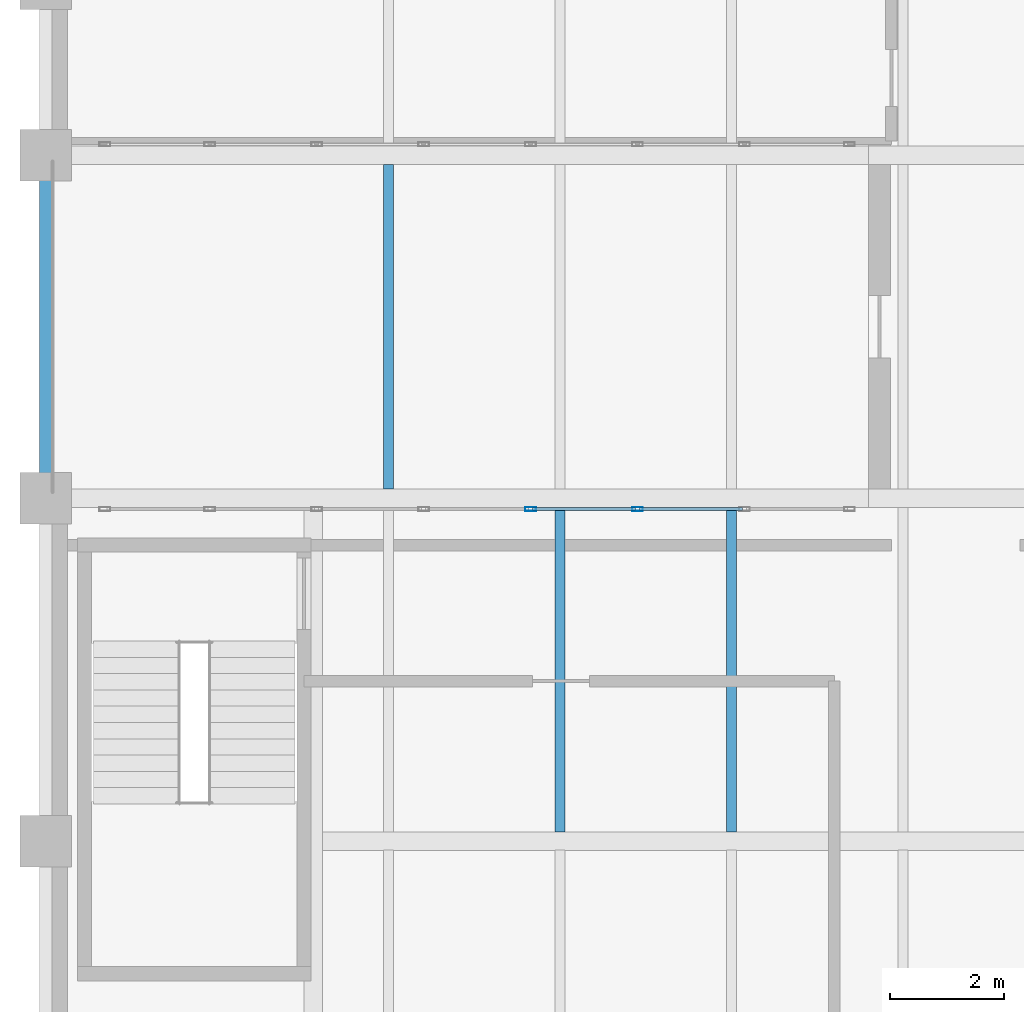
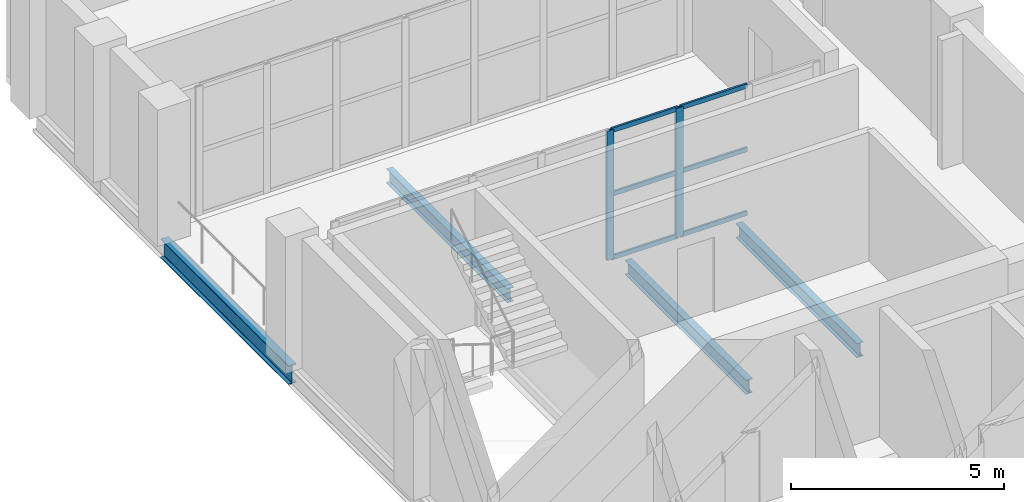
# One storey, part 3 of 11: 8 members, 4 beams, 1 element without a shape of its own.
"""IFC4 building model written with IfcOpenShell, lengths in metres."""

from ifc_helpers import new_model, si_unit, direction, frame, origin, origin_2d, place, context, subcontext, project, spatial, hollow_rectangle, i_section, extrude, material, layer, layer_set, material_profile, profile_set, type_object, element, aggregate, save


model = new_model("IFC4")

# Units and contexts
model_context = context("Model", 3, precision=1e-05, world=origin(), true_north=direction((0.0, 1.0)))
body_context = subcontext(model_context, "Body", "Model", "MODEL_VIEW")
ifc_project = project(units=[si_unit("LENGTHUNIT", "METRE"), si_unit("AREAUNIT", "SQUARE_METRE"), si_unit("VOLUMEUNIT", "CUBIC_METRE"), si_unit("PLANEANGLEUNIT", "RADIAN"), si_unit("MASSUNIT", "GRAM", prefix="KILO")], contexts=[model_context])

# Site, building, storey
site_placement = place(None, origin())
site = spatial("IfcSite", under=ifc_project, at=site_placement, CompositionType="ELEMENT")
building_placement = place(site_placement, origin())
building = spatial("IfcBuilding", under=site, at=building_placement, Name="Mawjdan Bourse Tower", CompositionType="ELEMENT")
storey_placement = place(building_placement, frame((0.0, 0.0, 191.699951171875)))
storey = spatial("IfcBuildingStorey", under=building, at=storey_placement, Name="L46", CompositionType="ELEMENT", Elevation=191.699951171875)

# Beams
ifc_material_1 = material(Name="Structural Steel S355", Category="steel")
ifc_material_profile_1 = material_profile(ifc_material_1, i_section(OverallWidth=0.177978515625, OverallDepth=0.406982421875, WebThickness=0.0078125, FlangeThickness=0.0126953125, FilletRadius=0.01025390625, at=origin_2d()), Name="W16X40")
ifc_profile_set_1 = profile_set([ifc_material_profile_1], Name="Structural Steel S355")
beam_type_1 = type_object("IfcBeamType", Name="JST-W16X40", PredefinedType="JOIST", material=ifc_profile_set_1)
for number, where, z_axis, x_axis, name in (
    (1, (12.0, 30.160400390625, -0.37353515625), (0.0, 1.0, 0.0), (-1.0, 0.0, 0.0), "L46 L46 Portal Sky Deck Joist 066"),
    (2, (15.0, 24.160400390625, -0.403564453125), (0.0, 1.0, 0.0), (-1.0, 0.0, 0.0), "L46 North Wing Composite Joist 070"),
    (3, (18.0, 24.160400390625, -0.403564453125), (0.0, 1.0, 0.0), (-1.0, 0.0, 0.0), "L46 North Wing Composite Joist 075"),
):
    element("IfcBeam", number, at=place(storey_placement, frame(where, z_axis=z_axis, x_axis=x_axis)), inside=storey, type_object=beam_type_1, Name=name, PredefinedType="JOIST", context=body_context, shape_type="SweptSolid", body=[
        extrude(i_section(OverallWidth=0.177978515625, OverallDepth=0.406982421875, WebThickness=0.0078125, FlangeThickness=0.0126953125, FilletRadius=0.01025390625, at=origin_2d()), origin(), (0.0, 0.0, 1.0), 5.67919921875),
    ])

# Curtain wall, members
ifc_material_2 = material(Name="Thermally Broken Aluminium and Solar Glass", Category="aluminium")
ifc_layer = layer(ifc_material_2, 0.219970703125)
ifc_layer_set = layer_set([ifc_layer], Name="Thermally Broken Aluminium and Solar Glass")
curtain_wall_type = type_object("IfcCurtainWallType", Name="CW-POR", PredefinedType="USERDEFINED", material=ifc_layer_set)
curtain_wall_placement = place(storey_placement, origin())
curtain_wall = element("IfcCurtainWall", 4, at=curtain_wall_placement, inside=storey, type_object=curtain_wall_type, Name="L46 North Void Portal Glazed Cheek 16", ObjectType="VOID PORTAL CURTAIN WALL", PredefinedType="USERDEFINED")
ifc_material_3 = material(Name="Thermally Broken Anodised Aluminium", Category="aluminium")
ifc_material_profile_2 = material_profile(ifc_material_3, hollow_rectangle(XDim=0.070068359375, YDim=0.18994140625, WallThickness=0.00439453125, at=origin_2d()), Name="ALU-MUL-190X70")
ifc_profile_set_2 = profile_set([ifc_material_profile_2], Name="Thermally Broken Anodised Aluminium")
member_type_1 = type_object("IfcMemberType", Name="MUL-ALU-MUL-190X70", PredefinedType="MULLION", material=ifc_profile_set_2)
member_1_placement = place(storey_placement, frame((16.357177734375, 29.81005859375, 0.0), z_axis=(0.0, 0.0, 1.0), x_axis=(0.0, -1.0, 0.0)))
member_1 = element("IfcMember", 5, at=member_1_placement, type_object=member_type_1, Name="CW-POR-L46-POR-N16 mullion 3", PredefinedType="MULLION", context=body_context, shape_type="SweptSolid", body=[
    extrude(hollow_rectangle(XDim=0.070068359375, YDim=0.18994140625, WallThickness=0.00439453125, at=origin_2d()), origin(), (0.0, 0.0, 1.0), 3.699951171875),
])
member_2_placement = place(storey_placement, frame((14.485595703125, 29.81005859375, 0.0), z_axis=(0.0, 0.0, 1.0), x_axis=(0.0, -1.0, 0.0)))
member_2 = element("IfcMember", 6, at=member_2_placement, type_object=member_type_1, Name="CW-POR-L46-POR-N16 mullion 4", PredefinedType="MULLION", context=body_context, shape_type="SweptSolid", body=[
    extrude(hollow_rectangle(XDim=0.070068359375, YDim=0.18994140625, WallThickness=0.00439453125, at=origin_2d()), origin(), (0.0, 0.0, 1.0), 3.699951171875),
])

# Beam
ifc_material_profile_3 = material_profile(ifc_material_1, i_section(OverallWidth=0.2119140625, OverallDepth=0.5439453125, WebThickness=0.01318359375, FlangeThickness=0.021240234375, FilletRadius=0.01708984375, at=origin_2d()), Name="W21X83")
ifc_profile_set_3 = profile_set([ifc_material_profile_3], Name="Structural Steel S355")
beam_type_2 = type_object("IfcBeamType", Name="SPN-W21X83", PredefinedType="SPANDREL", material=ifc_profile_set_3)
beam_placement = place(storey_placement, frame((6.0, 30.0, -0.44189453125), z_axis=(0.0, 1.0, 0.0), x_axis=(-1.0, 0.0, 0.0)))
element("IfcBeam", 7, at=beam_placement, inside=storey, type_object=beam_type_2, Name="L46 L46 Portal Sky Deck Edge Spandrel 056", PredefinedType="SPANDREL", context=body_context, shape_type="SweptSolid", body=[
    extrude(i_section(OverallWidth=0.2119140625, OverallDepth=0.5439453125, WebThickness=0.01318359375, FlangeThickness=0.021240234375, FilletRadius=0.01708984375, at=origin_2d()), origin(), (0.0, 0.0, 1.0), 6.0),
])

# Member
ifc_material_profile_4 = material_profile(ifc_material_3, hollow_rectangle(XDim=0.054931640625, YDim=0.1298828125, WallThickness=0.00341796875, at=origin_2d()), Name="ALU-TRN-130X55")
ifc_profile_set_4 = profile_set([ifc_material_profile_4], Name="Thermally Broken Anodised Aluminium")
member_type_2 = type_object("IfcMemberType", Name="TRN-ALU-TRN-130X55", PredefinedType="USERDEFINED", material=ifc_profile_set_4)
member_3_placement = place(storey_placement, frame((18.193603515625, 29.81005859375, 0.027587890625), z_axis=(-1.0, 0.0, 0.0), x_axis=(0.0, -1.0, 0.0)))
member_3 = element("IfcMember", 8, at=member_3_placement, type_object=member_type_2, Name="CW-POR-L46-POR-N16 transom 2.1", ObjectType="TRANSOM", PredefinedType="USERDEFINED", context=body_context, shape_type="SweptSolid", body=[
    extrude(hollow_rectangle(XDim=0.054931640625, YDim=0.1298828125, WallThickness=0.00341796875, at=origin_2d()), origin(), (0.0, 0.0, 1.0), 1.801513671875),
])

member_4_placement = place(storey_placement, frame((18.193603515625, 29.81005859375, 1.85009765625), z_axis=(-1.0, 0.0, 0.0), x_axis=(0.0, -1.0, 0.0)))
member_4 = element("IfcMember", 9, at=member_4_placement, type_object=member_type_2, Name="CW-POR-L46-POR-N16 transom 2.2", ObjectType="TRANSOM", PredefinedType="USERDEFINED", context=body_context, shape_type="SweptSolid", body=[
    extrude(hollow_rectangle(XDim=0.054931640625, YDim=0.1298828125, WallThickness=0.00341796875, at=origin_2d()), origin(), (0.0, 0.0, 1.0), 1.801513671875),
])

member_5_placement = place(storey_placement, frame((18.193603515625, 29.81005859375, 3.672607421875), z_axis=(-1.0, 0.0, 0.0), x_axis=(0.0, -1.0, 0.0)))
member_5 = element("IfcMember", 10, at=member_5_placement, type_object=member_type_2, Name="CW-POR-L46-POR-N16 transom 2.3", ObjectType="TRANSOM", PredefinedType="USERDEFINED", context=body_context, shape_type="SweptSolid", body=[
    extrude(hollow_rectangle(XDim=0.054931640625, YDim=0.1298828125, WallThickness=0.00341796875, at=origin_2d()), origin(), (0.0, 0.0, 1.0), 1.801513671875),
])

member_6_placement = place(storey_placement, frame((16.322021484375, 29.81005859375, 0.027587890625), z_axis=(-1.0, 0.0, 0.0), x_axis=(0.0, -1.0, 0.0)))
member_6 = element("IfcMember", 11, at=member_6_placement, type_object=member_type_2, Name="CW-POR-L46-POR-N16 transom 3.1", ObjectType="TRANSOM", PredefinedType="USERDEFINED", context=body_context, shape_type="SweptSolid", body=[
    extrude(hollow_rectangle(XDim=0.054931640625, YDim=0.1298828125, WallThickness=0.00341796875, at=origin_2d()), origin(), (0.0, 0.0, 1.0), 1.80126953125),
])

member_7_placement = place(storey_placement, frame((16.322021484375, 29.81005859375, 1.85009765625), z_axis=(-1.0, 0.0, 0.0), x_axis=(0.0, -1.0, 0.0)))
member_7 = element("IfcMember", 12, at=member_7_placement, type_object=member_type_2, Name="CW-POR-L46-POR-N16 transom 3.2", ObjectType="TRANSOM", PredefinedType="USERDEFINED", context=body_context, shape_type="SweptSolid", body=[
    extrude(hollow_rectangle(XDim=0.054931640625, YDim=0.1298828125, WallThickness=0.00341796875, at=origin_2d()), origin(), (0.0, 0.0, 1.0), 1.80126953125),
])

member_8_placement = place(storey_placement, frame((16.322021484375, 29.81005859375, 3.672607421875), z_axis=(-1.0, 0.0, 0.0), x_axis=(0.0, -1.0, 0.0)))
member_8 = element("IfcMember", 13, at=member_8_placement, type_object=member_type_2, Name="CW-POR-L46-POR-N16 transom 3.3", ObjectType="TRANSOM", PredefinedType="USERDEFINED", context=body_context, shape_type="SweptSolid", body=[
    extrude(hollow_rectangle(XDim=0.054931640625, YDim=0.1298828125, WallThickness=0.00341796875, at=origin_2d()), origin(), (0.0, 0.0, 1.0), 1.80126953125),
])

aggregate(curtain_wall, [member_1, member_2, member_3, member_4, member_5, member_6, member_7, member_8])

save(model, "model.ifc")
